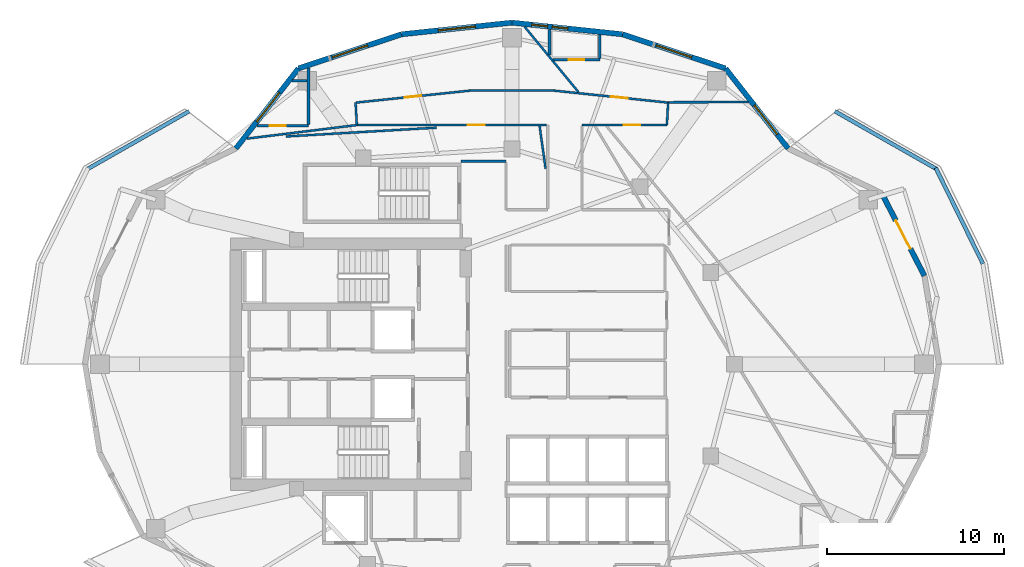
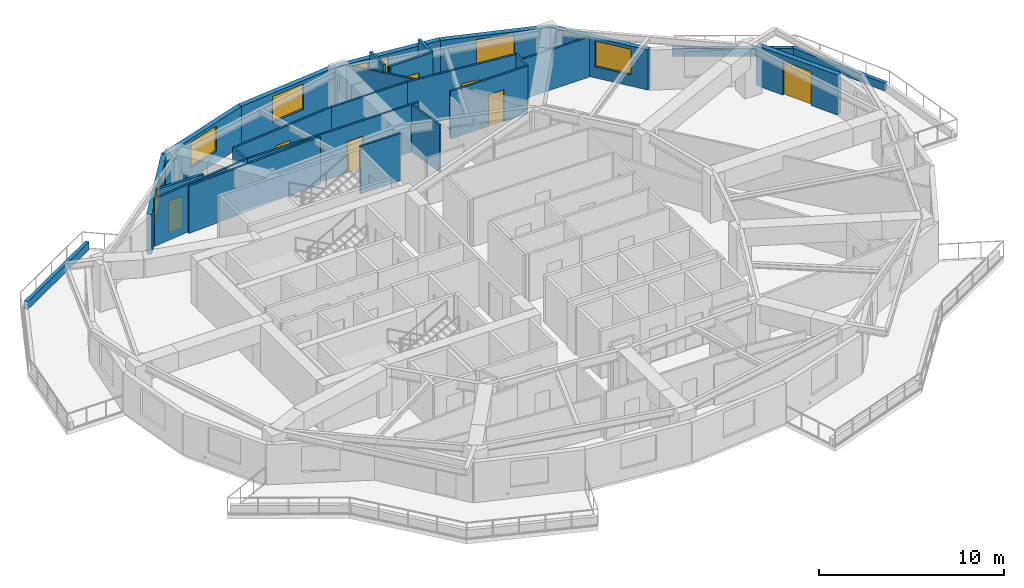
# One storey, part 7 of 12: 29 walls, 7 doors, 7 windows, 14 openings.
"""IFC4 building model written with IfcOpenShell, lengths in metres."""

from ifc_helpers import new_model, si_unit, direction, frame, frame_2d, origin, place, context, subcontext, project, spatial, rectangle, extrude, material, layer, layer_set, type_object, element, fill, save


model = new_model("IFC4")

# Units and contexts
model_context = context("Model", 3, precision=1e-05, world=origin(), true_north=direction((0.0, 1.0)))
body_context = subcontext(model_context, "Body", "Model", "MODEL_VIEW")
ifc_project = project(units=[si_unit("LENGTHUNIT", "METRE"), si_unit("AREAUNIT", "SQUARE_METRE"), si_unit("VOLUMEUNIT", "CUBIC_METRE"), si_unit("PLANEANGLEUNIT", "RADIAN"), si_unit("MASSUNIT", "GRAM", prefix="KILO")], contexts=[model_context])

# Site, building, storey
site_placement = place(None, origin())
site = spatial("IfcSite", under=ifc_project, at=site_placement, CompositionType="ELEMENT")
building_placement = place(site_placement, origin())
building = spatial("IfcBuilding", under=site, at=building_placement, Name="Kolvaren Gate Tower and Convention Centre", CompositionType="ELEMENT")
storey_placement = place(building_placement, frame((0.0, 0.0, 139.300048828125)))
storey = spatial("IfcBuildingStorey", under=building, at=storey_placement, Name="L35", CompositionType="ELEMENT", Elevation=139.300048828125)

# Walls
ifc_material_1 = material(Name="Fire-Rated Acoustic Gypsum Stud Partition", Category="gypsum")
ifc_layer_1 = layer(ifc_material_1, 0.1201171875)
ifc_layer_set_1 = layer_set([ifc_layer_1], Name="Fire-Rated Acoustic Gypsum Stud Partition")
wall_type_1 = type_object("IfcWallType", Name="ARCH-WL-PART-120", PredefinedType="PARTITIONING", material=ifc_layer_set_1)
wall_1_placement = place(storey_placement, frame((21.263916015625, 41.81787109375, 0.0), z_axis=(0.0, 0.0, 1.0), x_axis=(0.0574492264, -0.99834842935, 0.0)))
element("IfcWall", 1, at=wall_1_placement, inside=storey, type_object=wall_type_1, Name="Interior Partition WL-L35-INT-034", PredefinedType="PARTITIONING", context=body_context, shape_type="SweptSolid", body=[
    extrude(rectangle(XDim=1.270751953125, YDim=0.1201171875, at=frame_2d((0.63525390625, 0.0))), origin(), (0.0, 0.0, 1.0), 3.1298828125),
])
wall_2_placement = place(storey_placement, frame((27.25, 38.5, 0.0), z_axis=(0.0, 0.0, 1.0), x_axis=(1.0, 0.0, 0.0)))
element("IfcWall", 2, at=wall_2_placement, inside=storey, type_object=wall_type_1, Name="Interior Partition WL-L35-INT-038", PredefinedType="PARTITIONING", context=body_context, shape_type="SweptSolid", body=[
    extrude(rectangle(XDim=2.530029296875, YDim=0.1201171875, at=frame_2d((1.26513671875, 0.0))), origin(), (0.0, 0.0, 1.0), 3.1298828125),
])

# Wall, opening, door
wall_3_placement = place(storey_placement, frame((21.3505859375, 40.550048828125, 0.0), z_axis=(0.0, 0.0, 1.0), x_axis=(1.0, 0.0, 0.0)))
wall_3 = element("IfcWall", 3, at=wall_3_placement, inside=storey, type_object=wall_type_1, Name="Interior Partition WL-L35-INT-046", PredefinedType="PARTITIONING", context=body_context, shape_type="SweptSolid", body=[
    extrude(rectangle(XDim=10.7373046875, YDim=0.1201171875, at=frame_2d((5.36865234375, 0.0))), origin(), (0.0, 0.0, 1.0), 3.1298828125),
])
opening_1_placement = place(wall_3_placement, frame((6.28173828125, 0.0, 0.0)))
opening_1 = element("IfcOpeningElement", 4, at=opening_1_placement, cuts=wall_3, Name="Opening DR-01", PredefinedType="OPENING", context=body_context, shape_type="SweptSolid", body=[
    extrude(rectangle(XDim=0.949951171875, YDim=2.10009765625, at=frame_2d((0.47509765625, 1.050048828125))), frame((0.0, 0.070068359375, 0.0), z_axis=(0.0, -1.0, 0.0), x_axis=(1.0, 0.0, 0.0)), (0.0, 0.0, 1.0), 0.14013671875),
])
ifc_material_2 = material(Name="Painted Architectural Steelwork ASTM A500 Grade C 345 MPa", Category="steel")
door_type_1 = type_object("IfcDoorType", Name="ARCH-DR-RISER-950", OperationType="SINGLE_SWING_RIGHT", PredefinedType="DOOR", material=ifc_material_2)
door_1_placement = place(opening_1_placement, origin())
door_1 = element("IfcDoor", 5, at=door_1_placement, inside=storey, type_object=door_type_1, Name="Hotel Botanical Clubroom Door", OperationType="SINGLE_SWING_LEFT", OverallHeight=2.10009765625, OverallWidth=0.949951171875, PredefinedType="DOOR", context=body_context, shape_type="SweptSolid", body=[
    extrude(rectangle(XDim=0.949951171875, YDim=2.10009765625, at=frame_2d((0.47509765625, 1.050048828125))), frame((0.0, 0.02490234375, 0.0), z_axis=(0.0, -1.0, 0.0), x_axis=(1.0, 0.0, 0.0)), (0.0, 0.0, 1.0), 0.050048828125),
])
fill(opening_1, door_1)

wall_4_placement = place(storey_placement, frame((34.080078125, 40.550048828125, 0.0), z_axis=(0.0, 0.0, 1.0), x_axis=(1.0, 0.0, 0.0)))
wall_4 = element("IfcWall", 6, at=wall_4_placement, inside=storey, type_object=wall_type_1, Name="Interior Partition WL-L35-INT-047", PredefinedType="PARTITIONING", context=body_context, shape_type="SweptSolid", body=[
    extrude(rectangle(XDim=4.81982421875, YDim=0.1201171875, at=frame_2d((2.409912109375, 0.0))), origin(), (0.0, 0.0, 1.0), 3.1298828125),
])
opening_2_placement = place(wall_4_placement, frame((2.368408203125, 0.0, 0.0)))
opening_2 = element("IfcOpeningElement", 7, at=opening_2_placement, cuts=wall_4, Name="Opening DR-01", PredefinedType="OPENING", context=body_context, shape_type="SweptSolid", body=[
    extrude(rectangle(XDim=0.949951171875, YDim=2.10009765625, at=frame_2d((0.47509765625, 1.050048828125))), frame((0.0, 0.070068359375, 0.0), z_axis=(0.0, -1.0, 0.0), x_axis=(1.0, 0.0, 0.0)), (0.0, 0.0, 1.0), 0.14013671875),
])
door_2_placement = place(opening_2_placement, origin())
door_2 = element("IfcDoor", 8, at=door_2_placement, inside=storey, type_object=door_type_1, Name="Deluxe Hotel Suite (HTL-L35-07) Door", OperationType="SINGLE_SWING_RIGHT", OverallHeight=2.10009765625, OverallWidth=0.949951171875, PredefinedType="DOOR", context=body_context, shape_type="SweptSolid", body=[
    extrude(rectangle(XDim=0.949951171875, YDim=2.10009765625, at=frame_2d((0.47509765625, 1.050048828125))), frame((0.0, 0.02490234375, 0.0), z_axis=(0.0, -1.0, 0.0), x_axis=(1.0, 0.0, 0.0)), (0.0, 0.0, 1.0), 0.050048828125),
])
fill(opening_2, door_2)

wall_5_placement = place(storey_placement, frame((21.282958984375, 41.819091796875, 0.0), z_axis=(0.0, 0.0, 1.0), x_axis=(0.994501131299, 0.104725831799, 0.0)))
wall_5 = element("IfcWall", 9, at=wall_5_placement, inside=storey, type_object=wall_type_1, Name="Interior Partition WL-L35-INT-048", PredefinedType="PARTITIONING", context=body_context, shape_type="SweptSolid", body=[
    extrude(rectangle(XDim=6.501708984375, YDim=0.1201171875, at=frame_2d((3.2509765625, 0.0))), origin(), (0.0, 0.0, 1.0), 3.1298828125),
])
opening_3_placement = place(wall_5_placement, frame((2.77587890625, 0.0, 0.0)))
opening_3 = element("IfcOpeningElement", 10, at=opening_3_placement, cuts=wall_5, Name="Opening DR-01", PredefinedType="OPENING", context=body_context, shape_type="SweptSolid", body=[
    extrude(rectangle(XDim=0.949951171875, YDim=2.10009765625, at=frame_2d((0.47509765625, 1.050048828125))), frame((0.0, 0.070068359375, 0.0), z_axis=(0.0, -1.0, 0.0), x_axis=(1.0, 0.0, 0.0)), (0.0, 0.0, 1.0), 0.14013671875),
])
door_3_placement = place(opening_3_placement, origin())
door_3 = element("IfcDoor", 11, at=door_3_placement, inside=storey, type_object=door_type_1, Name="Deluxe Hotel Suite (HTL-L35-09) Door", OperationType="SINGLE_SWING_RIGHT", OverallHeight=2.10009765625, OverallWidth=0.949951171875, PredefinedType="DOOR", context=body_context, shape_type="SweptSolid", body=[
    extrude(rectangle(XDim=0.949951171875, YDim=2.10009765625, at=frame_2d((0.47509765625, 1.050048828125))), frame((0.0, 0.02490234375, 0.0), z_axis=(0.0, -1.0, 0.0), x_axis=(1.0, 0.0, 0.0)), (0.0, 0.0, 1.0), 0.050048828125),
])
fill(opening_3, door_3)

# Wall
wall_6_placement = place(storey_placement, frame((27.7490234375, 42.5, 0.0), z_axis=(0.0, 0.0, 1.0), x_axis=(1.0, 0.0, 0.0)))
element("IfcWall", 12, at=wall_6_placement, inside=storey, type_object=wall_type_1, Name="Interior Partition WL-L35-INT-049", PredefinedType="PARTITIONING", context=body_context, shape_type="SweptSolid", body=[
    extrude(rectangle(XDim=4.751953125, YDim=0.1201171875, at=frame_2d((2.3759765625, 0.0))), origin(), (0.0, 0.0, 1.0), 3.1298828125),
])

# Wall, opening, door
wall_7_placement = place(storey_placement, frame((32.5009765625, 42.5, 0.0), z_axis=(0.0, 0.0, 1.0), x_axis=(0.994501131299, -0.104725831799, 0.0)))
wall_7 = element("IfcWall", 13, at=wall_7_placement, inside=storey, type_object=wall_type_1, Name="Interior Partition WL-L35-INT-050", PredefinedType="PARTITIONING", context=body_context, shape_type="SweptSolid", body=[
    extrude(rectangle(XDim=6.501708984375, YDim=0.1201171875, at=frame_2d((3.2509765625, 0.0))), origin(), (0.0, 0.0, 1.0), 3.1298828125),
])
opening_4_placement = place(wall_7_placement, frame((3.246826171875, 0.0, 0.0)))
opening_4 = element("IfcOpeningElement", 14, at=opening_4_placement, cuts=wall_7, Name="Opening DR-01", PredefinedType="OPENING", context=body_context, shape_type="SweptSolid", body=[
    extrude(rectangle(XDim=0.949951171875, YDim=2.10009765625, at=frame_2d((0.47509765625, 1.050048828125))), frame((0.0, 0.070068359375, 0.0), z_axis=(0.0, -1.0, 0.0), x_axis=(1.0, 0.0, 0.0)), (0.0, 0.0, 1.0), 0.14013671875),
])
door_4_placement = place(opening_4_placement, origin())
door_4 = element("IfcDoor", 15, at=door_4_placement, inside=storey, type_object=door_type_1, Name="Hotel Guest Room (HTL-L35-08) Door", OperationType="SINGLE_SWING_LEFT", OverallHeight=2.10009765625, OverallWidth=0.949951171875, PredefinedType="DOOR", context=body_context, shape_type="SweptSolid", body=[
    extrude(rectangle(XDim=0.949951171875, YDim=2.10009765625, at=frame_2d((0.47509765625, 1.050048828125))), frame((0.0, 0.02490234375, 0.0), z_axis=(0.0, -1.0, 0.0), x_axis=(1.0, 0.0, 0.0)), (0.0, 0.0, 1.0), 0.050048828125),
])
fill(opening_4, door_4)

# Walls
wall_8_placement = place(storey_placement, frame((38.89990234375, 40.550048828125, 0.0), z_axis=(0.0, 0.0, 1.0), x_axis=(0.052831079727, 0.99860346335, 0.0)))
element("IfcWall", 16, at=wall_8_placement, inside=storey, type_object=wall_type_1, Name="Interior Partition WL-L35-INT-051", PredefinedType="PARTITIONING", context=body_context, shape_type="SweptSolid", body=[
    extrude(rectangle(XDim=1.270751953125, YDim=0.1201171875, at=frame_2d((0.63525390625, 0.0))), origin(), (0.0, 0.0, 1.0), 3.1298828125),
])
wall_9_placement = place(storey_placement, frame((30.834716796875, 46.122314453125, 0.0), z_axis=(0.0, 0.0, 1.0), x_axis=(0.636070633964, -0.771630836999, 0.0)))
element("IfcWall", 17, at=wall_9_placement, inside=storey, type_object=wall_type_1, Name="Interior Partition WL-L35-INT-069", PredefinedType="PARTITIONING", context=body_context, shape_type="SweptSolid", body=[
    extrude(rectangle(XDim=4.80322265625, YDim=0.1201171875, at=frame_2d((2.401611328125, 0.0))), origin(), (0.0, 0.0, 1.0), 2.65283203125),
])
wall_10_placement = place(storey_placement, frame((38.96875, 41.8359375, 0.0), z_axis=(0.0, 0.0, 1.0), x_axis=(0.999993915468, 0.003488413272, 0.0)))
element("IfcWall", 18, at=wall_10_placement, inside=storey, type_object=wall_type_1, Name="Interior Partition WL-L35-INT-071", PredefinedType="PARTITIONING", context=body_context, shape_type="SweptSolid", body=[
    extrude(rectangle(XDim=4.549072265625, YDim=0.1201171875, at=frame_2d((2.2744140625, 0.0))), origin(), (0.0, 0.0, 1.0), 2.65283203125),
])
wall_11_placement = place(storey_placement, frame((15.110107421875, 39.779541015625, 0.0), z_axis=(0.0, 0.0, 1.0), x_axis=(0.992465524728, 0.122524210773, 0.0)))
element("IfcWall", 19, at=wall_11_placement, inside=storey, type_object=wall_type_1, Name="Interior Partition WL-L35-INT-081", PredefinedType="PARTITIONING", context=body_context, shape_type="SweptSolid", body=[
    extrude(rectangle(XDim=6.28662109375, YDim=0.1201171875, at=frame_2d((3.143310546875, 0.0))), origin(), (0.0, 0.0, 1.0), 3.1298828125),
])
wall_12_placement = place(storey_placement, frame((17.331298828125, 39.902587890625, 0.0), z_axis=(0.0, 0.0, 1.0), x_axis=(0.998298083041, 0.0583175565, 0.0)))
element("IfcWall", 20, at=wall_12_placement, inside=storey, type_object=wall_type_1, Name="Interior Partition WL-L35-INT-082", PredefinedType="PARTITIONING", context=body_context, shape_type="SweptSolid", body=[
    extrude(rectangle(XDim=8.527587890625, YDim=0.1201171875, at=frame_2d((4.263671875, 0.0))), origin(), (0.0, 0.0, 1.0), 3.1298828125),
])
wall_13_placement = place(storey_placement, frame((31.688720703125, 40.488037109375, 0.0), z_axis=(0.0, 0.0, 1.0), x_axis=(0.139205728255, -0.990263482726, 0.0)))
element("IfcWall", 21, at=wall_13_placement, inside=storey, type_object=wall_type_1, Name="Interior Partition WL-L35-INT-083", PredefinedType="PARTITIONING", context=body_context, shape_type="SweptSolid", body=[
    extrude(rectangle(XDim=2.437744140625, YDim=0.1201171875, at=frame_2d((1.21875, 0.0))), origin(), (0.0, 0.0, 1.0), 3.1298828125),
])
ifc_material_3 = material(Name="Piedmont Cream Honed Limestone Cladding", Category="masonry")
ifc_layer_2 = layer(ifc_material_3, 0.219970703125)
ifc_layer_set_2 = layer_set([ifc_layer_2], Name="Piedmont Cream Honed Limestone Cladding")
wall_type_2 = type_object("IfcWallType", Name="ARCH-WL-PLANTER-220", PredefinedType="PARAPET", material=ifc_layer_set_2)
wall_14_placement = place(storey_placement, frame((54.12890625, 38.12158203125, 0.0), z_axis=(0.0, 0.0, 1.0), x_axis=(0.441269631716, -0.897374566235, 0.0)))
element("IfcWall", 22, at=wall_14_placement, inside=storey, type_object=wall_type_2, Name="Vertical-Forest Balcony Stone Planter Kerb PK-L35-1.2", PredefinedType="PARAPET", context=body_context, shape_type="SweptSolid", body=[
    extrude(rectangle(XDim=6.05615234375, YDim=0.219970703125, at=frame_2d((3.028076171875, 0.0))), origin(), (0.0, 0.0, 1.0), 0.52001953125),
])
for number, where, z_axis, x_axis, name in (
    (23, (48.41259765625, 41.332275390625, 0.0), (0.0, 0.0, 1.0), (0.869187658335, -0.494482370361, 0.0), "Vertical-Forest Balcony Stone Planter Kerb PK-L35-1.3"),
    (24, (6.095458984375, 38.065673828125, 0.0), (0.0, 0.0, 1.0), (0.869187658335, 0.494482370361, 0.0), "Vertical-Forest Balcony Stone Planter Kerb PK-L35-2.1"),
):
    element("IfcWall", number, at=place(storey_placement, frame(where, z_axis=z_axis, x_axis=x_axis)), inside=storey, type_object=wall_type_2, Name=name, PredefinedType="PARAPET", context=body_context, shape_type="SweptSolid", body=[
        extrude(rectangle(XDim=6.606201171875, YDim=0.219970703125, at=frame_2d((3.30322265625, 0.0))), origin(), (0.0, 0.0, 1.0), 0.52001953125),
    ])

# Wall, opening, door
ifc_layer_3 = layer(ifc_material_3, 0.300048828125)
ifc_layer_set_3 = layer_set([ifc_layer_3], Name="Piedmont Cream Honed Limestone Cladding")
wall_type_3 = type_object("IfcWallType", Name="ARCH-WL-STONE-300", PredefinedType="SOLIDWALL", material=ifc_layer_set_3)
wall_15_placement = place(storey_placement, frame((51.072021484375, 36.675048828125, 0.0), z_axis=(0.0, 0.0, 1.0), x_axis=(0.459767899643, -0.888039119892, 0.0)))
wall_15 = element("IfcWall", 25, at=wall_15_placement, inside=storey, type_object=wall_type_3, Name="Tower L35 Honed Stone Spandrel Wall EW-01", PredefinedType="SOLIDWALL", context=body_context, shape_type="SweptSolid", body=[
    extrude(rectangle(XDim=5.25537109375, YDim=0.300048828125, at=frame_2d((2.627685546875, 0.0))), origin(), (0.0, 0.0, 1.0), 2.65283203125),
])
opening_5_placement = place(wall_15_placement, frame((1.72802734375, 0.0, 0.0)))
opening_5 = element("IfcOpeningElement", 26, at=opening_5_placement, cuts=wall_15, Name="Opening DB-01", PredefinedType="OPENING", context=body_context, shape_type="SweptSolid", body=[
    extrude(rectangle(XDim=1.800048828125, YDim=2.25, at=frame_2d((0.89990234375, 1.125))), frame((0.0, 0.159912109375, 0.0), z_axis=(0.0, -1.0, 0.0), x_axis=(1.0, 0.0, 0.0)), (0.0, 0.0, 1.0), 0.320068359375),
])
ifc_material_4 = material(Name="Anodized Architectural Aluminium Alloy 6063-T6", Category="aluminium")
door_type_2 = type_object("IfcDoorType", Name="ARCH-DR-BALC-1800", OperationType="SLIDING_TO_LEFT", PredefinedType="DOOR", material=ifc_material_4)
door_5_placement = place(opening_5_placement, origin())
door_5 = element("IfcDoor", 27, at=door_5_placement, inside=storey, type_object=door_type_2, Name="Planted Sky Terrace Access Door DB-L35-01", OperationType="SLIDING_TO_LEFT", OverallHeight=2.25, OverallWidth=1.800048828125, PredefinedType="DOOR", context=body_context, shape_type="SweptSolid", body=[
    extrude(rectangle(XDim=1.800048828125, YDim=2.25, at=frame_2d((0.89990234375, 1.125))), frame((0.0, 0.02490234375, 0.0), z_axis=(0.0, -1.0, 0.0), x_axis=(1.0, 0.0, 0.0)), (0.0, 0.0, 1.0), 0.050048828125),
])
fill(opening_5, door_5)

# Wall, opening, window
wall_16_placement = place(storey_placement, frame((42.21875, 43.757568359375, 0.0), z_axis=(0.0, 0.0, 1.0), x_axis=(0.616435134162, -0.787405693001, 0.0)))
wall_16 = element("IfcWall", 28, at=wall_16_placement, inside=storey, type_object=wall_type_3, Name="Tower L35 Honed Stone Spandrel Wall EW-03", PredefinedType="SOLIDWALL", context=body_context, shape_type="SweptSolid", body=[
    extrude(rectangle(XDim=5.759033203125, YDim=0.300048828125, at=frame_2d((2.87939453125, 0.0))), origin(), (0.0, 0.0, 1.0), 2.65283203125),
])
opening_6_placement = place(wall_16_placement, frame((2.64990234375, 0.0, 0.739990234375)))
opening_6 = element("IfcOpeningElement", 29, at=opening_6_placement, cuts=wall_16, Name="Opening W-02", PredefinedType="OPENING", context=body_context, shape_type="SweptSolid", body=[
    extrude(rectangle(XDim=2.10009765625, YDim=1.699951171875, at=frame_2d((1.050048828125, 0.85009765625))), frame((0.0, 0.159912109375, 0.0), z_axis=(0.0, -1.0, 0.0), x_axis=(1.0, 0.0, 0.0)), (0.0, 0.0, 1.0), 0.320068359375),
])
ifc_material_5 = material(Name="Low-E Triple Insulated Glazing Unit 44 mm", Category="glass")
window_type_1 = type_object("IfcWindowType", Name="ARCH-WN-HTL-2100", PartitioningType="SINGLE_PANEL", PredefinedType="WINDOW", material=ifc_material_5)
window_1_placement = place(opening_6_placement, origin())
window_1 = element("IfcWindow", 30, at=window_1_placement, inside=storey, type_object=window_type_1, Name="Tower L35 Punched Stone Facade Window W-03", OverallHeight=1.699951171875, OverallWidth=2.10009765625, PartitioningType="SINGLE_PANEL", PredefinedType="WINDOW", context=body_context, shape_type="SweptSolid", body=[
    extrude(rectangle(XDim=2.10009765625, YDim=1.699951171875, at=frame_2d((1.050048828125, 0.85009765625))), frame((0.0, 0.030029296875, 0.0), z_axis=(0.0, -1.0, 0.0), x_axis=(1.0, 0.0, 0.0)), (0.0, 0.0, 1.0), 0.06005859375),
])
fill(opening_6, window_1)

wall_17_placement = place(storey_placement, frame((36.38525390625, 45.690673828125, 0.0), z_axis=(0.0, 0.0, 1.0), x_axis=(0.949238009374, -0.314558741032, 0.0)))
wall_17 = element("IfcWall", 31, at=wall_17_placement, inside=storey, type_object=wall_type_3, Name="Tower L35 Honed Stone Spandrel Wall EW-04", PredefinedType="SOLIDWALL", context=body_context, shape_type="SweptSolid", body=[
    extrude(rectangle(XDim=6.1455078125, YDim=0.300048828125, at=frame_2d((3.07275390625, 0.0))), origin(), (0.0, 0.0, 1.0), 2.65283203125),
])
opening_7_placement = place(wall_17_placement, frame((2.02294921875, 0.0, 0.739990234375)))
opening_7 = element("IfcOpeningElement", 32, at=opening_7_placement, cuts=wall_17, Name="Opening W-02", PredefinedType="OPENING", context=body_context, shape_type="SweptSolid", body=[
    extrude(rectangle(XDim=2.10009765625, YDim=1.699951171875, at=frame_2d((1.050048828125, 0.85009765625))), frame((0.0, 0.159912109375, 0.0), z_axis=(0.0, -1.0, 0.0), x_axis=(1.0, 0.0, 0.0)), (0.0, 0.0, 1.0), 0.320068359375),
])
window_2_placement = place(opening_7_placement, origin())
window_2 = element("IfcWindow", 33, at=window_2_placement, inside=storey, type_object=window_type_1, Name="Tower L35 Punched Stone Facade Window W-04", OverallHeight=1.699951171875, OverallWidth=2.10009765625, PartitioningType="SINGLE_PANEL", PredefinedType="WINDOW", context=body_context, shape_type="SweptSolid", body=[
    extrude(rectangle(XDim=2.10009765625, YDim=1.699951171875, at=frame_2d((1.050048828125, 0.85009765625))), frame((0.0, 0.030029296875, 0.0), z_axis=(0.0, -1.0, 0.0), x_axis=(1.0, 0.0, 0.0)), (0.0, 0.0, 1.0), 0.06005859375),
])
fill(opening_7, window_2)

# Wall, openings, windows
wall_18_placement = place(storey_placement, frame((30.125, 46.35009765625, 0.0), z_axis=(0.0, 0.0, 1.0), x_axis=(0.994498012394, -0.104755445421, 0.0)))
wall_18 = element("IfcWall", 34, at=wall_18_placement, inside=storey, type_object=wall_type_3, Name="Tower L35 Honed Stone Spandrel Wall EW-05", PredefinedType="SOLIDWALL", context=body_context, shape_type="SweptSolid", body=[
    extrude(rectangle(XDim=6.294921875, YDim=0.300048828125, at=frame_2d((3.1474609375, 0.0))), origin(), (0.0, 0.0, 1.0), 2.65283203125),
])
opening_8_placement = place(wall_18_placement, frame((1.122802734375, 0.0, 0.739990234375)))
opening_8 = element("IfcOpeningElement", 35, at=opening_8_placement, cuts=wall_18, Name="Opening W-06", PredefinedType="OPENING", context=body_context, shape_type="SweptSolid", body=[
    extrude(rectangle(XDim=0.89990234375, YDim=1.699951171875, at=frame_2d((0.449951171875, 0.85009765625))), frame((0.0, 0.159912109375, 0.0), z_axis=(0.0, -1.0, 0.0), x_axis=(1.0, 0.0, 0.0)), (0.0, 0.0, 1.0), 0.320068359375),
])
opening_9_placement = place(wall_18_placement, frame((2.289306640625, 0.0, 0.739990234375)))
opening_9 = element("IfcOpeningElement", 36, at=opening_9_placement, cuts=wall_18, Name="Opening W-06", PredefinedType="OPENING", context=body_context, shape_type="SweptSolid", body=[
    extrude(rectangle(XDim=0.89990234375, YDim=1.699951171875, at=frame_2d((0.449951171875, 0.85009765625))), frame((0.0, 0.159912109375, 0.0), z_axis=(0.0, -1.0, 0.0), x_axis=(1.0, 0.0, 0.0)), (0.0, 0.0, 1.0), 0.320068359375),
])
window_type_2 = type_object("IfcWindowType", Name="ARCH-WN-PUNCH-900", PartitioningType="SINGLE_PANEL", PredefinedType="WINDOW", material=ifc_material_5)
window_3_placement = place(opening_8_placement, origin())
window_3 = element("IfcWindow", 37, at=window_3_placement, inside=storey, type_object=window_type_2, Name="Tower L35 Punched Stone Facade Window W-05", OverallHeight=1.699951171875, OverallWidth=0.89990234375, PartitioningType="SINGLE_PANEL", PredefinedType="WINDOW", context=body_context, shape_type="SweptSolid", body=[
    extrude(rectangle(XDim=0.89990234375, YDim=1.699951171875, at=frame_2d((0.449951171875, 0.85009765625))), frame((0.0, 0.030029296875, 0.0), z_axis=(0.0, -1.0, 0.0), x_axis=(1.0, 0.0, 0.0)), (0.0, 0.0, 1.0), 0.06005859375),
])
fill(opening_8, window_3)
window_4_placement = place(opening_9_placement, origin())
window_4 = element("IfcWindow", 38, at=window_4_placement, inside=storey, type_object=window_type_2, Name="Tower L35 Punched Stone Facade Window W-05B", OverallHeight=1.699951171875, OverallWidth=0.89990234375, PartitioningType="SINGLE_PANEL", PredefinedType="WINDOW", context=body_context, shape_type="SweptSolid", body=[
    extrude(rectangle(XDim=0.89990234375, YDim=1.699951171875, at=frame_2d((0.449951171875, 0.85009765625))), frame((0.0, 0.030029296875, 0.0), z_axis=(0.0, -1.0, 0.0), x_axis=(1.0, 0.0, 0.0)), (0.0, 0.0, 1.0), 0.06005859375),
])
fill(opening_9, window_4)

# Wall, opening, window
wall_19_placement = place(storey_placement, frame((23.86474609375, 45.690673828125, 0.0), z_axis=(0.0, 0.0, 1.0), x_axis=(0.994498012394, 0.104755445421, 0.0)))
wall_19 = element("IfcWall", 39, at=wall_19_placement, inside=storey, type_object=wall_type_3, Name="Tower L35 Honed Stone Spandrel Wall EW-06", PredefinedType="SOLIDWALL", context=body_context, shape_type="SweptSolid", body=[
    extrude(rectangle(XDim=6.294921875, YDim=0.300048828125, at=frame_2d((3.1474609375, 0.0))), origin(), (0.0, 0.0, 1.0), 2.65283203125),
])
opening_10_placement = place(wall_19_placement, frame((2.096923828125, 0.0, 0.739990234375)))
opening_10 = element("IfcOpeningElement", 40, at=opening_10_placement, cuts=wall_19, Name="Opening W-02", PredefinedType="OPENING", context=body_context, shape_type="SweptSolid", body=[
    extrude(rectangle(XDim=2.10009765625, YDim=1.699951171875, at=frame_2d((1.050048828125, 0.85009765625))), frame((0.0, 0.159912109375, 0.0), z_axis=(0.0, -1.0, 0.0), x_axis=(1.0, 0.0, 0.0)), (0.0, 0.0, 1.0), 0.320068359375),
])
window_5_placement = place(opening_10_placement, origin())
window_5 = element("IfcWindow", 41, at=window_5_placement, inside=storey, type_object=window_type_1, Name="Tower L35 Punched Stone Facade Window W-06", OverallHeight=1.699951171875, OverallWidth=2.10009765625, PartitioningType="SINGLE_PANEL", PredefinedType="WINDOW", context=body_context, shape_type="SweptSolid", body=[
    extrude(rectangle(XDim=2.10009765625, YDim=1.699951171875, at=frame_2d((1.050048828125, 0.85009765625))), frame((0.0, 0.030029296875, 0.0), z_axis=(0.0, -1.0, 0.0), x_axis=(1.0, 0.0, 0.0)), (0.0, 0.0, 1.0), 0.06005859375),
])
fill(opening_10, window_5)

wall_20_placement = place(storey_placement, frame((18.03125, 43.757568359375, 0.0), z_axis=(0.0, 0.0, 1.0), x_axis=(0.949238009374, 0.314558741032, 0.0)))
wall_20 = element("IfcWall", 42, at=wall_20_placement, inside=storey, type_object=wall_type_3, Name="Tower L35 Honed Stone Spandrel Wall EW-07", PredefinedType="SOLIDWALL", context=body_context, shape_type="SweptSolid", body=[
    extrude(rectangle(XDim=6.1455078125, YDim=0.300048828125, at=frame_2d((3.07275390625, 0.0))), origin(), (0.0, 0.0, 1.0), 2.65283203125),
])
opening_11_placement = place(wall_20_placement, frame((2.02294921875, 0.0, 0.739990234375)))
opening_11 = element("IfcOpeningElement", 43, at=opening_11_placement, cuts=wall_20, Name="Opening W-02", PredefinedType="OPENING", context=body_context, shape_type="SweptSolid", body=[
    extrude(rectangle(XDim=2.10009765625, YDim=1.699951171875, at=frame_2d((1.050048828125, 0.85009765625))), frame((0.0, 0.159912109375, 0.0), z_axis=(0.0, -1.0, 0.0), x_axis=(1.0, 0.0, 0.0)), (0.0, 0.0, 1.0), 0.320068359375),
])
window_6_placement = place(opening_11_placement, origin())
window_6 = element("IfcWindow", 44, at=window_6_placement, inside=storey, type_object=window_type_1, Name="Tower L35 Punched Stone Facade Window W-07", OverallHeight=1.699951171875, OverallWidth=2.10009765625, PartitioningType="SINGLE_PANEL", PredefinedType="WINDOW", context=body_context, shape_type="SweptSolid", body=[
    extrude(rectangle(XDim=2.10009765625, YDim=1.699951171875, at=frame_2d((1.050048828125, 0.85009765625))), frame((0.0, 0.030029296875, 0.0), z_axis=(0.0, -1.0, 0.0), x_axis=(1.0, 0.0, 0.0)), (0.0, 0.0, 1.0), 0.06005859375),
])
fill(opening_11, window_6)

wall_21_placement = place(storey_placement, frame((14.481201171875, 39.222900390625, 0.0), z_axis=(0.0, 0.0, 1.0), x_axis=(0.616435134162, 0.787405693001, 0.0)))
wall_21 = element("IfcWall", 45, at=wall_21_placement, inside=storey, type_object=wall_type_3, Name="Tower L35 Honed Stone Spandrel Wall EW-08", PredefinedType="SOLIDWALL", context=body_context, shape_type="SweptSolid", body=[
    extrude(rectangle(XDim=5.759033203125, YDim=0.300048828125, at=frame_2d((2.87939453125, 0.0))), origin(), (0.0, 0.0, 1.0), 2.65283203125),
])
opening_12_placement = place(wall_21_placement, frame((1.919921875, 0.0, 0.739990234375)))
opening_12 = element("IfcOpeningElement", 46, at=opening_12_placement, cuts=wall_21, Name="Opening W-02", PredefinedType="OPENING", context=body_context, shape_type="SweptSolid", body=[
    extrude(rectangle(XDim=2.10009765625, YDim=1.699951171875, at=frame_2d((1.050048828125, 0.85009765625))), frame((0.0, 0.159912109375, 0.0), z_axis=(0.0, -1.0, 0.0), x_axis=(1.0, 0.0, 0.0)), (0.0, 0.0, 1.0), 0.320068359375),
])
window_7_placement = place(opening_12_placement, origin())
window_7 = element("IfcWindow", 47, at=window_7_placement, inside=storey, type_object=window_type_1, Name="Tower L35 Punched Stone Facade Window W-08", OverallHeight=1.699951171875, OverallWidth=2.10009765625, PartitioningType="SINGLE_PANEL", PredefinedType="WINDOW", context=body_context, shape_type="SweptSolid", body=[
    extrude(rectangle(XDim=2.10009765625, YDim=1.699951171875, at=frame_2d((1.050048828125, 0.85009765625))), frame((0.0, 0.030029296875, 0.0), z_axis=(0.0, -1.0, 0.0), x_axis=(1.0, 0.0, 0.0)), (0.0, 0.0, 1.0), 0.06005859375),
])
fill(opening_12, window_7)

# Wall, opening, door
ifc_material_6 = material(Name="Moisture-Resistant Cement-Board Acoustic Partition", Category="gypsum")
ifc_layer_4 = layer(ifc_material_6, 0.14990234375)
ifc_layer_set_4 = layer_set([ifc_layer_4], Name="Moisture-Resistant Cement-Board Acoustic Partition")
wall_type_4 = type_object("IfcWallType", Name="ARCH-WL-WET-150", PredefinedType="PARTITIONING", material=ifc_layer_set_4)
wall_22_placement = place(storey_placement, frame((32.45849609375, 44.25, 0.0), z_axis=(0.0, 0.0, 1.0), x_axis=(1.0, 0.0, 0.0)))
wall_22 = element("IfcWall", 48, at=wall_22_placement, inside=storey, type_object=wall_type_4, Name="Interior Partition WL-L35-INT-075", PredefinedType="PARTITIONING", context=body_context, shape_type="SweptSolid", body=[
    extrude(rectangle(XDim=2.6416015625, YDim=0.14990234375, at=frame_2d((1.32080078125, 0.0))), origin(), (0.0, 0.0, 1.0), 3.1298828125),
])
opening_13_placement = place(wall_22_placement, frame((0.870849609375, 0.0, 0.0)))
opening_13 = element("IfcOpeningElement", 49, at=opening_13_placement, cuts=wall_22, Name="Opening DW-01", PredefinedType="OPENING", context=body_context, shape_type="SweptSolid", body=[
    extrude(rectangle(XDim=0.89990234375, YDim=2.10009765625, at=frame_2d((0.449951171875, 1.050048828125))), frame((0.0, 0.0849609375, 0.0), z_axis=(0.0, -1.0, 0.0), x_axis=(1.0, 0.0, 0.0)), (0.0, 0.0, 1.0), 0.169921875),
])
ifc_material_7 = material(Name="FSC Andean Oak Engineered Veneer Door Leaf", Category="wood")
door_type_3 = type_object("IfcDoorType", Name="ARCH-DR-WC-900", OperationType="SINGLE_SWING_RIGHT", PredefinedType="DOOR", material=ifc_material_7)
door_6_placement = place(opening_13_placement, origin())
door_6 = element("IfcDoor", 50, at=door_6_placement, inside=storey, type_object=door_type_3, Name="En-suite Bathroom (HTL-L35-08) Door", OperationType="SINGLE_SWING_RIGHT", OverallHeight=2.10009765625, OverallWidth=0.89990234375, PredefinedType="DOOR", context=body_context, shape_type="SweptSolid", body=[
    extrude(rectangle(XDim=0.89990234375, YDim=2.10009765625, at=frame_2d((0.449951171875, 1.050048828125))), frame((0.0, 0.02490234375, 0.0), z_axis=(0.0, -1.0, 0.0), x_axis=(1.0, 0.0, 0.0)), (0.0, 0.0, 1.0), 0.050048828125),
])
fill(opening_13, door_6)

# Walls
wall_23_placement = place(storey_placement, frame((35.10009765625, 44.326904296875, 0.0), z_axis=(0.0, 0.0, 1.0), x_axis=(0.0, 1.0, 0.0)))
element("IfcWall", 51, at=wall_23_placement, inside=storey, type_object=wall_type_4, Name="Interior Partition WL-L35-INT-076", PredefinedType="PARTITIONING", context=body_context, shape_type="SweptSolid", body=[
    extrude(rectangle(XDim=1.34619140625, YDim=0.14990234375, at=frame_2d((0.673095703125, 0.0))), origin(), (0.0, 0.0, 1.0), 3.1298828125),
])
wall_24_placement = place(storey_placement, frame((32.25, 44.5029296875, 0.0), z_axis=(0.0, 0.0, 1.0), x_axis=(0.0, 1.0, 0.0)))
element("IfcWall", 52, at=wall_24_placement, inside=storey, type_object=wall_type_4, Name="Interior Partition WL-L35-INT-077", PredefinedType="PARTITIONING", context=body_context, shape_type="SweptSolid", body=[
    extrude(rectangle(XDim=1.470458984375, YDim=0.14990234375, at=frame_2d((0.7353515625, 0.0))), origin(), (0.0, 0.0, 1.0), 3.1298828125),
])

# Wall, opening, door
wall_25_placement = place(storey_placement, frame((15.674072265625, 40.5, 0.0), z_axis=(0.0, 0.0, 1.0), x_axis=(1.0, 0.0, 0.0)))
wall_25 = element("IfcWall", 53, at=wall_25_placement, inside=storey, type_object=wall_type_4, Name="Interior Partition WL-L35-INT-078", PredefinedType="PARTITIONING", context=body_context, shape_type="SweptSolid", body=[
    extrude(rectangle(XDim=2.926025390625, YDim=0.14990234375, at=frame_2d((1.462890625, 0.0))), origin(), (0.0, 0.0, 1.0), 3.1298828125),
])
opening_14_placement = place(wall_25_placement, frame((0.73291015625, 0.0, 0.0)))
opening_14 = element("IfcOpeningElement", 54, at=opening_14_placement, cuts=wall_25, Name="Opening DW-01", PredefinedType="OPENING", context=body_context, shape_type="SweptSolid", body=[
    extrude(rectangle(XDim=0.89990234375, YDim=2.10009765625, at=frame_2d((0.449951171875, 1.050048828125))), frame((0.0, 0.0849609375, 0.0), z_axis=(0.0, -1.0, 0.0), x_axis=(1.0, 0.0, 0.0)), (0.0, 0.0, 1.0), 0.169921875),
])
door_7_placement = place(opening_14_placement, origin())
door_7 = element("IfcDoor", 55, at=door_7_placement, inside=storey, type_object=door_type_3, Name="En-suite Bathroom (HTL-L35-09) Door", OperationType="SINGLE_SWING_LEFT", OverallHeight=2.10009765625, OverallWidth=0.89990234375, PredefinedType="DOOR", context=body_context, shape_type="SweptSolid", body=[
    extrude(rectangle(XDim=0.89990234375, YDim=2.10009765625, at=frame_2d((0.449951171875, 1.050048828125))), frame((0.0, 0.02490234375, 0.0), z_axis=(0.0, -1.0, 0.0), x_axis=(1.0, 0.0, 0.0)), (0.0, 0.0, 1.0), 0.050048828125),
])
fill(opening_14, door_7)

# Walls
wall_26_placement = place(storey_placement, frame((18.60009765625, 40.576904296875, 0.0), z_axis=(0.0, 0.0, 1.0), x_axis=(0.0, 1.0, 0.0)))
element("IfcWall", 56, at=wall_26_placement, inside=storey, type_object=wall_type_4, Name="Interior Partition WL-L35-INT-079", PredefinedType="PARTITIONING", context=body_context, shape_type="SweptSolid", body=[
    extrude(rectangle(XDim=3.208984375, YDim=0.14990234375, at=frame_2d((1.6044921875, 0.0))), origin(), (0.0, 0.0, 1.0), 1.92236328125),
])
wall_27_placement = place(storey_placement, frame((17.67041015625, 43.050048828125, 0.0), z_axis=(0.0, 0.0, 1.0), x_axis=(1.0, 0.0, 0.0)))
element("IfcWall", 57, at=wall_27_placement, inside=storey, type_object=wall_type_4, Name="Interior Partition WL-L35-INT-080", PredefinedType="PARTITIONING", context=body_context, shape_type="SweptSolid", body=[
    extrude(rectangle(XDim=0.8525390625, YDim=0.14990234375, at=frame_2d((0.42626953125, 0.0))), origin(), (0.0, 0.0, 1.0), 2.65283203125),
])

save(model, "model.ifc")
